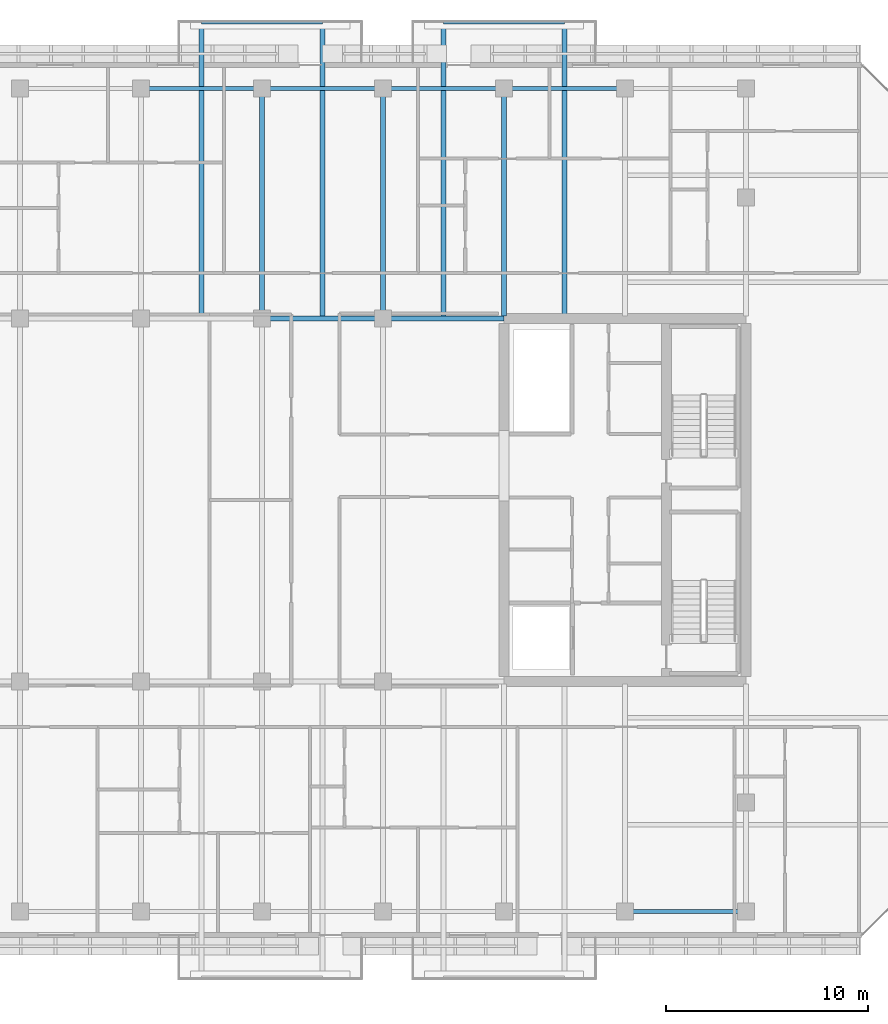
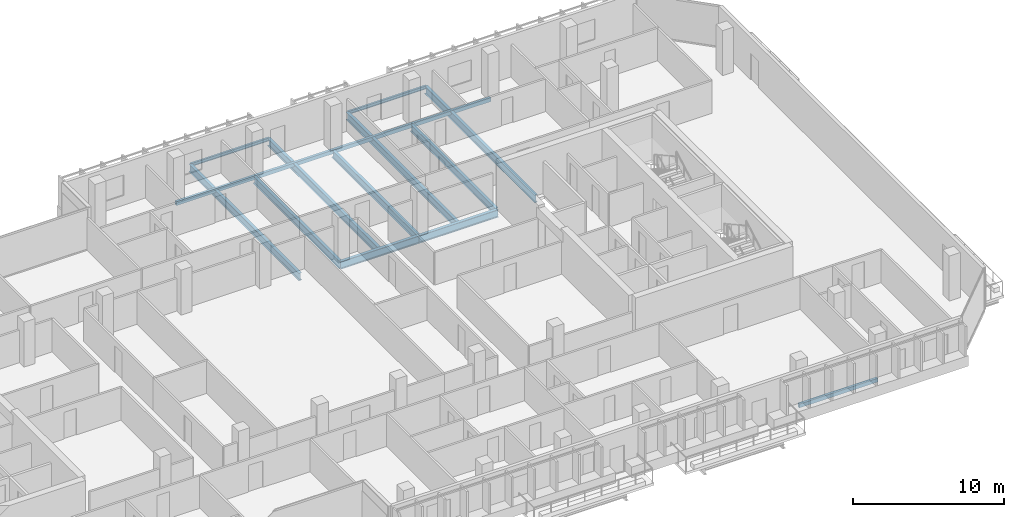
# One storey, part 12 of 30: 16 beams.
"""IFC4 building model written with IfcOpenShell, lengths in metres."""

from ifc_helpers import new_model, si_unit, direction, frame, origin, origin_2d, place, context, subcontext, project, spatial, hollow_rectangle, i_section, extrude, material, material_profile, profile_set, type_object, element, save


model = new_model("IFC4")

# Units and contexts
model_context = context("Model", 3, precision=1e-05, world=origin(), true_north=direction((0.0, 1.0)))
body_context = subcontext(model_context, "Body", "Model", "MODEL_VIEW")
ifc_project = project(units=[si_unit("LENGTHUNIT", "METRE"), si_unit("AREAUNIT", "SQUARE_METRE"), si_unit("VOLUMEUNIT", "CUBIC_METRE"), si_unit("PLANEANGLEUNIT", "RADIAN"), si_unit("MASSUNIT", "GRAM", prefix="KILO")], contexts=[model_context])

# Site, building, storey
site_placement = place(None, origin())
site = spatial("IfcSite", under=ifc_project, at=site_placement, CompositionType="ELEMENT")
building_placement = place(site_placement, origin())
building = spatial("IfcBuilding", under=site, at=building_placement, Name="Tanjung Sevakor Pilgrim Tower", CompositionType="ELEMENT")
storey_placement = place(building_placement, frame((0.0, 0.0, 165.659912109375)))
storey = spatial("IfcBuildingStorey", under=building, at=storey_placement, Name="L46", CompositionType="ELEMENT", Elevation=165.659912109375)

# Beams
ifc_material_1 = material(Name="Steel S355J2", Category="steel")
ifc_material_profile_1 = material_profile(ifc_material_1, i_section(OverallWidth=0.230224609375, OverallDepth=0.6171875, WebThickness=0.01318359375, FlangeThickness=0.022216796875, FilletRadius=0.0126953125, at=origin_2d()))
ifc_profile_set_1 = profile_set([ifc_material_profile_1], Name="Steel S355J2")
beam_type_1 = type_object("IfcBeamType", Name="BM-B-G3-UB_610x229x140", PredefinedType="BEAM", material=ifc_profile_set_1)
for number, where, z_axis, x_axis, name in (
    (1, (66.0, 42.60009765625, -0.528564453125), (1.0, 0.0, 0.0), (0.0, 1.0, 0.0), "L46 Primary Floor Girder MAIN Y426-06"),
    (2, (72.0, 42.60009765625, -0.528564453125), (1.0, 0.0, 0.0), (0.0, 1.0, 0.0), "L46 Primary Floor Girder MAIN Y426-07"),
):
    element("IfcBeam", number, at=place(storey_placement, frame(where, z_axis=z_axis, x_axis=x_axis)), inside=storey, type_object=beam_type_1, Name=name, PredefinedType="BEAM", context=body_context, shape_type="SweptSolid", body=[
        extrude(i_section(OverallWidth=0.230224609375, OverallDepth=0.6171875, WebThickness=0.01318359375, FlangeThickness=0.022216796875, FilletRadius=0.0126953125, at=origin_2d()), origin(), (0.0, 0.0, 1.0), 6.0),
    ])
ifc_material_2 = material(Name="Steel S355J2", Category="steel")
ifc_material_profile_2 = material_profile(ifc_material_2, i_section(OverallWidth=0.22900390625, OverallDepth=0.6123046875, WebThickness=0.011962890625, FlangeThickness=0.01953125, FilletRadius=0.0126953125, at=origin_2d()))
ifc_profile_set_2 = profile_set([ifc_material_profile_2], Name="Steel S355J2")
beam_type_2 = type_object("IfcBeamType", Name="BM-B-G4-UB_610x229x125", PredefinedType="BEAM", material=ifc_profile_set_2)
beam_1_placement = place(storey_placement, frame((63.0, 42.715087890625, -0.526123046875), z_axis=(0.0, 1.0, 0.0), x_axis=(-1.0, 0.0, 0.0)))
element("IfcBeam", 3, at=beam_1_placement, inside=storey, type_object=beam_type_2, Name="L46 Balcony Cantilever Beam MAIN-N2-1", PredefinedType="BEAM", context=body_context, shape_type="SweptSolid", body=[
    extrude(i_section(OverallWidth=0.22900390625, OverallDepth=0.6123046875, WebThickness=0.011962890625, FlangeThickness=0.01953125, FilletRadius=0.0126953125, at=origin_2d()), origin(), (0.0, 0.0, 1.0), 14.56494140625),
])
beam_2_placement = place(storey_placement, frame((66.0, 42.60009765625, -0.526123046875), z_axis=(0.0, 1.0, 0.0), x_axis=(-1.0, 0.0, 0.0)))
element("IfcBeam", 4, at=beam_2_placement, inside=storey, type_object=beam_type_2, Name="L46 MAIN Girder 017", PredefinedType="BEAM", context=body_context, shape_type="SweptSolid", body=[
    extrude(i_section(OverallWidth=0.22900390625, OverallDepth=0.6123046875, WebThickness=0.011962890625, FlangeThickness=0.01953125, FilletRadius=0.0126953125, at=origin_2d()), origin(), (0.0, 0.0, 1.0), 11.39990234375),
])
beam_3_placement = place(storey_placement, frame((69.0, 42.715087890625, -0.526123046875), z_axis=(0.0, 1.0, 0.0), x_axis=(-1.0, 0.0, 0.0)))
element("IfcBeam", 5, at=beam_3_placement, inside=storey, type_object=beam_type_2, Name="L46 Balcony Cantilever Beam MAIN-N2-2", PredefinedType="BEAM", context=body_context, shape_type="SweptSolid", body=[
    extrude(i_section(OverallWidth=0.22900390625, OverallDepth=0.6123046875, WebThickness=0.011962890625, FlangeThickness=0.01953125, FilletRadius=0.0126953125, at=origin_2d()), origin(), (0.0, 0.0, 1.0), 14.56494140625),
])
beam_4_placement = place(storey_placement, frame((72.0, 42.60009765625, -0.526123046875), z_axis=(0.0, 1.0, 0.0), x_axis=(-1.0, 0.0, 0.0)))
element("IfcBeam", 6, at=beam_4_placement, inside=storey, type_object=beam_type_2, Name="L46 MAIN Girder 020", PredefinedType="BEAM", context=body_context, shape_type="SweptSolid", body=[
    extrude(i_section(OverallWidth=0.22900390625, OverallDepth=0.6123046875, WebThickness=0.011962890625, FlangeThickness=0.01953125, FilletRadius=0.0126953125, at=origin_2d()), origin(), (0.0, 0.0, 1.0), 11.39990234375),
])
beam_5_placement = place(storey_placement, frame((75.0, 42.715087890625, -0.526123046875), z_axis=(0.0, 1.0, 0.0), x_axis=(-1.0, 0.0, 0.0)))
element("IfcBeam", 7, at=beam_5_placement, inside=storey, type_object=beam_type_2, Name="L46 Balcony Cantilever Beam MAIN-N3-1", PredefinedType="BEAM", context=body_context, shape_type="SweptSolid", body=[
    extrude(i_section(OverallWidth=0.22900390625, OverallDepth=0.6123046875, WebThickness=0.011962890625, FlangeThickness=0.01953125, FilletRadius=0.0126953125, at=origin_2d()), origin(), (0.0, 0.0, 1.0), 14.56494140625),
])
beam_6_placement = place(storey_placement, frame((78.0, 42.715087890625, -0.526123046875), z_axis=(0.0, 1.0, 0.0), x_axis=(-1.0, 0.0, 0.0)))
element("IfcBeam", 8, at=beam_6_placement, inside=storey, type_object=beam_type_2, Name="L46 MAIN Girder 022", PredefinedType="BEAM", context=body_context, shape_type="SweptSolid", body=[
    extrude(i_section(OverallWidth=0.22900390625, OverallDepth=0.6123046875, WebThickness=0.011962890625, FlangeThickness=0.01953125, FilletRadius=0.0126953125, at=origin_2d()), origin(), (0.0, 0.0, 1.0), 11.284912109375),
])
beam_7_placement = place(storey_placement, frame((81.0, 42.715087890625, -0.526123046875), z_axis=(0.0, 1.0, 0.0), x_axis=(-1.0, 0.0, 0.0)))
element("IfcBeam", 9, at=beam_7_placement, inside=storey, type_object=beam_type_2, Name="L46 Balcony Cantilever Beam MAIN-N3-2", PredefinedType="BEAM", context=body_context, shape_type="SweptSolid", body=[
    extrude(i_section(OverallWidth=0.22900390625, OverallDepth=0.6123046875, WebThickness=0.011962890625, FlangeThickness=0.01953125, FilletRadius=0.0126953125, at=origin_2d()), origin(), (0.0, 0.0, 1.0), 14.56494140625),
])
ifc_material_3 = material(Name="Steel S355J2", Category="steel")
ifc_material_profile_3 = material_profile(ifc_material_3, i_section(OverallWidth=0.146484375, OverallDepth=0.256103515625, WebThickness=0.00634765625, FlangeThickness=0.010986328125, FilletRadius=0.007568359375, at=origin_2d()))
ifc_profile_set_3 = profile_set([ifc_material_profile_3], Name="Steel S355J2")
beam_type_3 = type_object("IfcBeamType", Name="BM-B-J6-UB_254x146x37", PredefinedType="JOIST", material=ifc_profile_set_3)
for number, where, z_axis, x_axis, name in (
    (10, (63.0, 57.280029296875, -0.327880859375), (1.0, 0.0, 0.0), (0.0, 1.0, 0.0), "L46 Balcony Rim Tie MAIN-N2"),
    (11, (75.0, 57.280029296875, -0.327880859375), (1.0, 0.0, 0.0), (0.0, 1.0, 0.0), "L46 Balcony Rim Tie MAIN-N3"),
):
    element("IfcBeam", number, at=place(storey_placement, frame(where, z_axis=z_axis, x_axis=x_axis)), inside=storey, type_object=beam_type_3, Name=name, PredefinedType="JOIST", context=body_context, shape_type="SweptSolid", body=[
        extrude(i_section(OverallWidth=0.146484375, OverallDepth=0.256103515625, WebThickness=0.00634765625, FlangeThickness=0.010986328125, FilletRadius=0.007568359375, at=origin_2d()), origin(), (0.0, 0.0, 1.0), 6.0),
    ])
ifc_material_4 = material(Name="Steel S355J2", Category="steel")
ifc_material_profile_4 = material_profile(ifc_material_4, hollow_rectangle(XDim=0.199951171875, YDim=0.300048828125, WallThickness=0.012451171875, at=origin_2d()))
ifc_profile_set_4 = profile_set([ifc_material_profile_4], Name="Steel S355J2")
beam_type_4 = type_object("IfcBeamType", Name="BM-B-SP3-RHS_300x200x12.5", PredefinedType="SPANDREL", material=ifc_profile_set_4)
for number, where, z_axis, x_axis, name in (
    (12, (60.0, 54.0, -0.369873046875), (1.0, 0.0, 0.0), (0.0, 1.0, 0.0), "L46 Spandrel MAIN N-10"),
    (13, (66.0, 54.0, -0.369873046875), (1.0, 0.0, 0.0), (0.0, 1.0, 0.0), "L46 Spandrel MAIN N-12"),
    (14, (72.0, 54.0, -0.369873046875), (1.0, 0.0, 0.0), (0.0, 1.0, 0.0), "L46 Spandrel MAIN N-14"),
    (15, (78.0, 54.0, -0.369873046875), (1.0, 0.0, 0.0), (0.0, 1.0, 0.0), "L46 Spandrel MAIN N-16"),
    (16, (84.0, 13.199951171875, -0.369873046875), (1.0, 0.0, 0.0), (0.0, 1.0, 0.0), "L46 Spandrel MAIN S-17"),
):
    element("IfcBeam", number, at=place(storey_placement, frame(where, z_axis=z_axis, x_axis=x_axis)), inside=storey, type_object=beam_type_4, Name=name, PredefinedType="SPANDREL", context=body_context, shape_type="SweptSolid", body=[
        extrude(hollow_rectangle(XDim=0.199951171875, YDim=0.300048828125, WallThickness=0.012451171875, at=origin_2d()), origin(), (0.0, 0.0, 1.0), 6.0),
    ])

save(model, "model.ifc")
